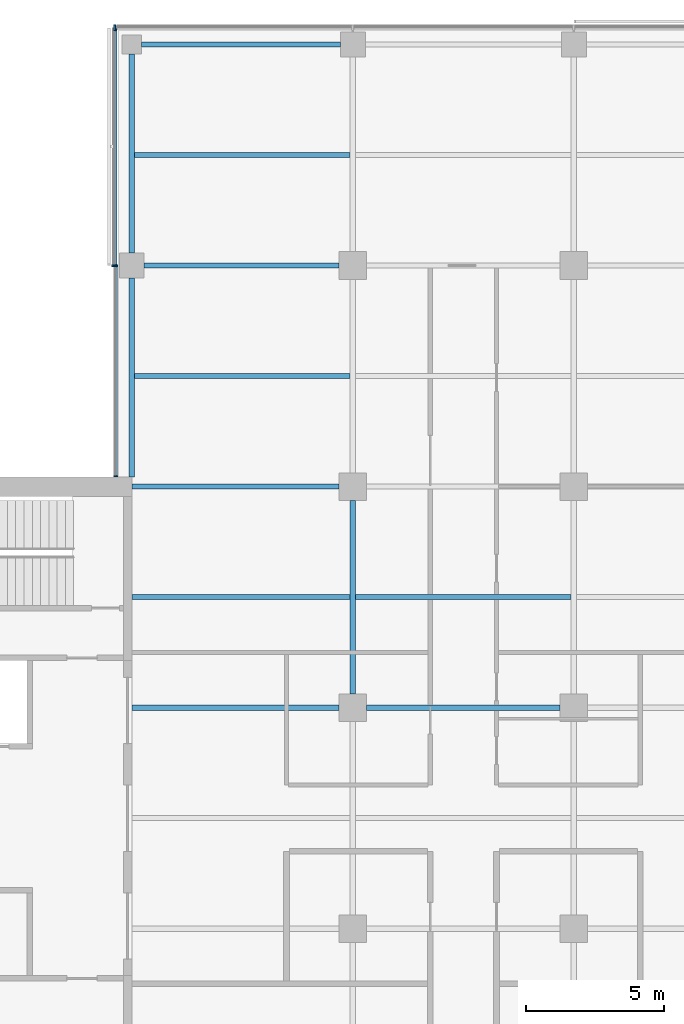
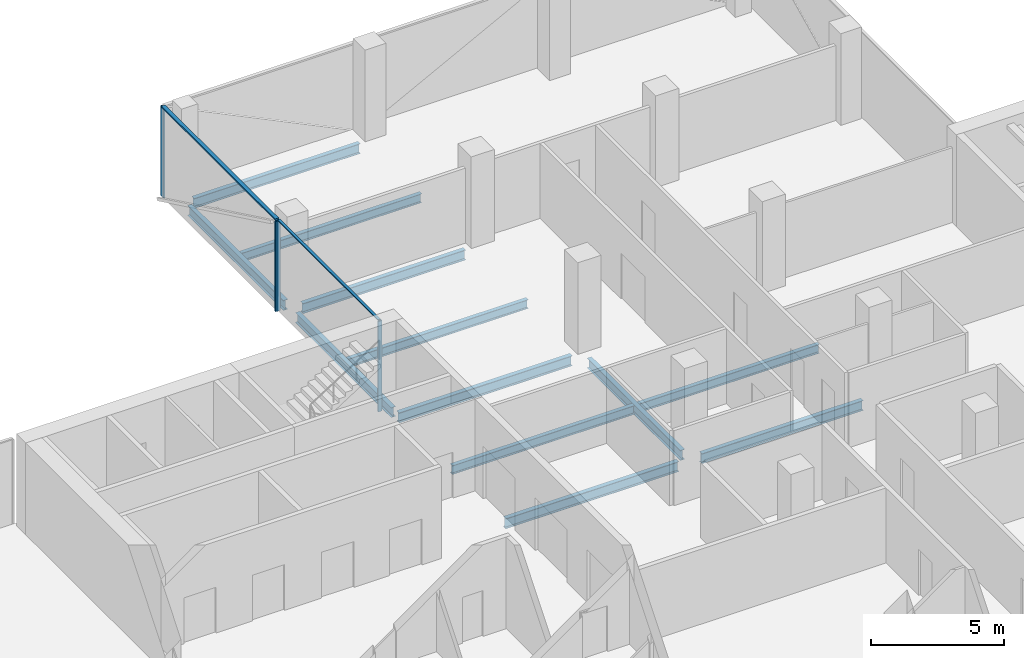
# One storey, part 8 of 22: 12 beams, 6 members, 3 elements without a shape of their own.
"""IFC4 building model written with IfcOpenShell, lengths in metres."""

from ifc_helpers import new_model, si_unit, direction, frame, origin, origin_2d, place, context, subcontext, project, spatial, rectangle, i_section, extrude, material, material_profile, profile_set, type_object, element, aggregate, save


model = new_model("IFC4")

# Units and contexts
model_context = context("Model", 3, precision=1e-05, world=origin(), true_north=direction((0.0, 1.0)))
body_context = subcontext(model_context, "Body", "Model", "MODEL_VIEW")
ifc_project = project(units=[si_unit("LENGTHUNIT", "METRE"), si_unit("AREAUNIT", "SQUARE_METRE"), si_unit("VOLUMEUNIT", "CUBIC_METRE"), si_unit("PLANEANGLEUNIT", "RADIAN"), si_unit("MASSUNIT", "GRAM", prefix="KILO")], contexts=[model_context])

# Site, building, storey
site_placement = place(None, origin())
site = spatial("IfcSite", under=ifc_project, at=site_placement, CompositionType="ELEMENT")
building_placement = place(site_placement, origin())
building = spatial("IfcBuilding", under=site, at=building_placement, Name="Crosswind Convention Tower", CompositionType="ELEMENT")
storey_placement = place(building_placement, frame((0.0, 0.0, 150.5)))
storey = spatial("IfcBuildingStorey", under=building, at=storey_placement, Name="L31", CompositionType="ELEMENT", Elevation=150.5)

# Beams
ifc_material_1 = material(Name="Steel S355", Category="steel")
ifc_material_profile_1 = material_profile(ifc_material_1, i_section(OverallWidth=0.18994140625, OverallDepth=0.45361328125, WebThickness=0.008544921875, FlangeThickness=0.0126953125, FilletRadius=0.01025390625, at=origin_2d()), Name="UB 457x191x67")
ifc_profile_set_1 = profile_set([ifc_material_profile_1], Name="Steel S355")
beam_type_1 = type_object("IfcBeamType", Name="Edge beam UB 457x191x67", PredefinedType="SPANDREL", material=ifc_profile_set_1)
for number, where, z_axis, x_axis, name in (
    (1, (113.0, 112.35009765625, -0.52685546875), (0.0, 1.0, 0.0), (-1.0, 0.0, 0.0), "B16 L31 edge beam 8"),
    (2, (113.0, 120.449951171875, -0.52685546875), (0.0, 1.0, 0.0), (-1.0, 0.0, 0.0), "B16 L31 edge beam 9"),
    (3, (113.35009765625, 128.0, -0.52685546875), (1.0, 0.0, 0.0), (0.0, 1.0, 0.0), "B16 L31 edge beam 11"),
):
    element("IfcBeam", number, at=place(storey_placement, frame(where, z_axis=z_axis, x_axis=x_axis)), inside=storey, type_object=beam_type_1, Name=name, PredefinedType="SPANDREL", context=body_context, shape_type="SweptSolid", body=[
        extrude(i_section(OverallWidth=0.18994140625, OverallDepth=0.45361328125, WebThickness=0.008544921875, FlangeThickness=0.0126953125, FilletRadius=0.01025390625, at=origin_2d()), origin(), (0.0, 0.0, 1.0), 7.199951171875),
    ])
ifc_material_profile_2 = material_profile(ifc_material_1, i_section(OverallWidth=0.19140625, OverallDepth=0.460205078125, WebThickness=0.010009765625, FlangeThickness=0.01611328125, FilletRadius=0.01025390625, at=origin_2d()), Name="UB 457x191x82")
ifc_profile_set_2 = profile_set([ifc_material_profile_2], Name="Steel S355")
beam_type_2 = type_object("IfcBeamType", Name="Girder UB 457x191x82", PredefinedType="BEAM", material=ifc_profile_set_2)
beam_1_placement = place(storey_placement, frame((113.449951171875, 120.0, -0.530029296875), z_axis=(1.0, 0.0, 0.0), x_axis=(0.0, 1.0, 0.0)))
element("IfcBeam", 4, at=beam_1_placement, inside=storey, type_object=beam_type_2, Name="B3 L31 girder 2", PredefinedType="BEAM", context=body_context, shape_type="SweptSolid", body=[
    extrude(i_section(OverallWidth=0.19140625, OverallDepth=0.460205078125, WebThickness=0.010009765625, FlangeThickness=0.01611328125, FilletRadius=0.01025390625, at=origin_2d()), origin(), (0.0, 0.0, 1.0), 7.050048828125),
])
for number, where, z_axis, x_axis, name in (
    (5, (121.0, 104.5, -0.530029296875), (0.0, 1.0, 0.0), (-1.0, 0.0, 0.0), "B3 L31 girder 7"),
    (6, (121.5, 104.0, -0.530029296875), (1.0, 0.0, 0.0), (0.0, 1.0, 0.0), "B3 L31 girder 13"),
):
    element("IfcBeam", number, at=place(storey_placement, frame(where, z_axis=z_axis, x_axis=x_axis)), inside=storey, type_object=beam_type_2, Name=name, PredefinedType="BEAM", context=body_context, shape_type="SweptSolid", body=[
        extrude(i_section(OverallWidth=0.19140625, OverallDepth=0.460205078125, WebThickness=0.010009765625, FlangeThickness=0.01611328125, FilletRadius=0.01025390625, at=origin_2d()), origin(), (0.0, 0.0, 1.0), 7.0),
    ])
ifc_material_profile_3 = material_profile(ifc_material_1, i_section(OverallWidth=0.19189453125, OverallDepth=0.463623046875, WebThickness=0.010498046875, FlangeThickness=0.017578125, FilletRadius=0.01025390625, at=origin_2d()), Name="UB 457x191x90")
ifc_profile_set_3 = profile_set([ifc_material_profile_3], Name="Steel S355")
beam_type_3 = type_object("IfcBeamType", Name="Girder at core wall UB 457x191x90", PredefinedType="BEAM", material=ifc_profile_set_3)
for number, where, z_axis, x_axis, name in (
    (7, (113.0, 104.0, -0.53173828125), (1.0, 0.0, 0.0), (0.0, 1.0, 0.0), "B24 L31 girder at core wall 5"),
    (8, (113.0, 112.0, -0.53173828125), (1.0, 0.0, 0.0), (0.0, 1.0, 0.0), "B24 L31 girder at core wall 6"),
):
    element("IfcBeam", number, at=place(storey_placement, frame(where, z_axis=z_axis, x_axis=x_axis)), inside=storey, type_object=beam_type_3, Name=name, PredefinedType="BEAM", context=body_context, shape_type="SweptSolid", body=[
        extrude(i_section(OverallWidth=0.19189453125, OverallDepth=0.463623046875, WebThickness=0.010498046875, FlangeThickness=0.017578125, FilletRadius=0.01025390625, at=origin_2d()), origin(), (0.0, 0.0, 1.0), 7.5),
    ])

# Curtain wall, members
ifc_material_2 = material(Name="Aluminium unitised curtain wall", Category="aluminium")
curtain_wall_type_1 = type_object("IfcCurtainWallType", Name="CORE END SLOT WALL 160", PredefinedType="USERDEFINED", material=ifc_material_2)
curtain_wall_1_placement = place(storey_placement, origin())
curtain_wall_1 = element("IfcCurtainWall", 9, at=curtain_wall_1_placement, inside=storey, type_object=curtain_wall_type_1, Name="CW6 L31 N-W.1-2 slot", ObjectType="UNITISED", PredefinedType="USERDEFINED")
ifc_material_3 = material(Name="Aluminium mullion", Category="aluminium")
ifc_material_profile_4 = material_profile(ifc_material_3, rectangle(XDim=0.159912109375, YDim=0.050048828125, at=origin_2d()), Name="AL 160X50")
ifc_profile_set_4 = profile_set([ifc_material_profile_4], Name="Aluminium mullion")
member_type_1 = type_object("IfcMemberType", Name="MULLION 50X160", PredefinedType="MULLION", material=ifc_profile_set_4)
member_1_placement = place(storey_placement, frame((112.419921875, 119.97509765625, -0.300048828125), z_axis=(0.0, 0.0, 1.0), x_axis=(-1.0, 0.0, 0.0)))
member_1 = element("IfcMember", 10, at=member_1_placement, type_object=member_type_1, Name="CW6 mullion 1", PredefinedType="MULLION", context=body_context, shape_type="SweptSolid", body=[
    extrude(rectangle(XDim=0.159912109375, YDim=0.050048828125, at=origin_2d()), origin(), (0.0, 0.0, 1.0), 4.150146484375),
])
member_2_placement = place(storey_placement, frame((112.419921875, 112.375, -0.300048828125), z_axis=(0.0, 0.0, 1.0), x_axis=(-1.0, 0.0, 0.0)))
member_2 = element("IfcMember", 11, at=member_2_placement, type_object=member_type_1, Name="CW6 mullion 2", PredefinedType="MULLION", context=body_context, shape_type="SweptSolid", body=[
    extrude(rectangle(XDim=0.159912109375, YDim=0.050048828125, at=origin_2d()), origin(), (0.0, 0.0, 1.0), 4.150146484375),
])

# Curtain wall, member
curtain_wall_type_2 = type_object("IfcCurtainWallType", Name="OFFICE UNITISED WALL 220", PredefinedType="USERDEFINED", material=ifc_material_2)
curtain_wall_2_placement = place(storey_placement, origin())
curtain_wall_2 = element("IfcCurtainWall", 12, at=curtain_wall_2_placement, inside=storey, type_object=curtain_wall_type_2, Name="CW3 L31 N-TIP 1", ObjectType="UNITISED", PredefinedType="USERDEFINED")
ifc_material_profile_5 = material_profile(ifc_material_3, rectangle(XDim=0.219970703125, YDim=0.070068359375, at=origin_2d()), Name="AL 220X70")
ifc_profile_set_5 = profile_set([ifc_material_profile_5], Name="Aluminium mullion")
member_type_2 = type_object("IfcMemberType", Name="MULLION 70X220", PredefinedType="MULLION", material=ifc_profile_set_5)
member_3_placement = place(storey_placement, frame((112.389892578125, 128.610107421875, -0.300048828125), z_axis=(0.0, 0.0, 1.0), x_axis=(0.0, 1.0, 0.0)))
member_3 = element("IfcMember", 13, at=member_3_placement, type_object=member_type_2, Name="CW3 mullion 4", PredefinedType="MULLION", context=body_context, shape_type="SweptSolid", body=[
    extrude(rectangle(XDim=0.219970703125, YDim=0.070068359375, at=origin_2d()), origin(), (0.0, 0.0, 1.0), 4.130126953125),
])
aggregate(curtain_wall_2, [member_3])

curtain_wall_3_placement = place(storey_placement, origin())
curtain_wall_3 = element("IfcCurtainWall", 14, at=curtain_wall_3_placement, inside=storey, type_object=curtain_wall_type_2, Name="CW3 L31 N-W 1", ObjectType="UNITISED", PredefinedType="USERDEFINED")
member_4_placement = place(storey_placement, frame((112.389892578125, 120.0, -0.300048828125), z_axis=(0.0, 0.0, 1.0), x_axis=(-1.0, 0.0, 0.0)))
member_4 = element("IfcMember", 15, at=member_4_placement, type_object=member_type_2, Name="CW3 mullion 2", PredefinedType="MULLION", context=body_context, shape_type="SweptSolid", body=[
    extrude(rectangle(XDim=0.219970703125, YDim=0.070068359375, at=origin_2d()), origin(), (0.0, 0.0, 1.0), 4.130126953125),
])

# Beams
ifc_material_profile_6 = material_profile(ifc_material_1, i_section(OverallWidth=0.177734375, OverallDepth=0.406494140625, WebThickness=0.0078125, FlangeThickness=0.0126953125, FilletRadius=0.01025390625, at=origin_2d()), Name="UB 406x178x60")
ifc_profile_set_6 = profile_set([ifc_material_profile_6], Name="Steel S355")
beam_type_4 = type_object("IfcBeamType", Name="Secondary beam UB 406x178x60", PredefinedType="JOIST", material=ifc_profile_set_6)
beam_2_placement = place(storey_placement, frame((113.0, 108.0, -0.503173828125), z_axis=(1.0, 0.0, 0.0), x_axis=(0.0, 1.0, 0.0)))
element("IfcBeam", 16, at=beam_2_placement, inside=storey, type_object=beam_type_4, Name="B10 L31 secondary beam 6", PredefinedType="JOIST", context=body_context, shape_type="SweptSolid", body=[
    extrude(i_section(OverallWidth=0.177734375, OverallDepth=0.406494140625, WebThickness=0.0078125, FlangeThickness=0.0126953125, FilletRadius=0.01025390625, at=origin_2d()), origin(), (0.0, 0.0, 1.0), 7.904296875),
])
for number, where, z_axis, x_axis, name in (
    (17, (113.094970703125, 116.0, -0.503173828125), (1.0, 0.0, 0.0), (0.0, 1.0, 0.0), "B10 L31 secondary beam 9"),
    (18, (113.094970703125, 124.0, -0.503173828125), (1.0, 0.0, 0.0), (0.0, 1.0, 0.0), "B10 L31 secondary beam 10"),
):
    element("IfcBeam", number, at=place(storey_placement, frame(where, z_axis=z_axis, x_axis=x_axis)), inside=storey, type_object=beam_type_4, Name=name, PredefinedType="JOIST", context=body_context, shape_type="SweptSolid", body=[
        extrude(i_section(OverallWidth=0.177734375, OverallDepth=0.406494140625, WebThickness=0.0078125, FlangeThickness=0.0126953125, FilletRadius=0.01025390625, at=origin_2d()), origin(), (0.0, 0.0, 1.0), 7.809326171875),
    ])
beam_3_placement = place(storey_placement, frame((121.095703125, 108.0, -0.503173828125), z_axis=(1.0, 0.0, 0.0), x_axis=(0.0, 1.0, 0.0)))
element("IfcBeam", 19, at=beam_3_placement, inside=storey, type_object=beam_type_4, Name="B10 L31 secondary beam 15", PredefinedType="JOIST", context=body_context, shape_type="SweptSolid", body=[
    extrude(i_section(OverallWidth=0.177734375, OverallDepth=0.406494140625, WebThickness=0.0078125, FlangeThickness=0.0126953125, FilletRadius=0.01025390625, at=origin_2d()), origin(), (0.0, 0.0, 1.0), 7.80859375),
])

# Member
ifc_material_4 = material(Name="Aluminium transom", Category="aluminium")
ifc_material_profile_7 = material_profile(ifc_material_4, rectangle(XDim=0.1201171875, YDim=0.050048828125, at=origin_2d()), Name="AL 120X50")
ifc_profile_set_7 = profile_set([ifc_material_profile_7], Name="Aluminium transom")
member_type_3 = type_object("IfcMemberType", Name="TRANSOM 50X120", PredefinedType="USERDEFINED", material=ifc_profile_set_7)
member_5_placement = place(storey_placement, frame((112.419921875, 119.949951171875, 3.875), z_axis=(0.0, -1.0, 0.0), x_axis=(1.0, 0.0, 0.0)))
member_5 = element("IfcMember", 20, at=member_5_placement, type_object=member_type_3, Name="CW6 transom", ObjectType="TRANSOM", PredefinedType="USERDEFINED", context=body_context, shape_type="SweptSolid", body=[
    extrude(rectangle(XDim=0.1201171875, YDim=0.050048828125, at=origin_2d()), origin(), (0.0, 0.0, 1.0), 7.550048828125),
])

aggregate(curtain_wall_1, [member_1, member_2, member_5])

ifc_material_profile_8 = material_profile(ifc_material_4, rectangle(XDim=0.159912109375, YDim=0.070068359375, at=origin_2d()), Name="AL 160X70")
ifc_profile_set_8 = profile_set([ifc_material_profile_8], Name="Aluminium transom")
member_type_4 = type_object("IfcMemberType", Name="TRANSOM 70X160", PredefinedType="USERDEFINED", material=ifc_profile_set_8)
member_6_placement = place(storey_placement, frame((112.389892578125, 128.574951171875, 3.864990234375), z_axis=(0.0, -1.0, 0.0), x_axis=(1.0, 0.0, 0.0)))
member_6 = element("IfcMember", 21, at=member_6_placement, type_object=member_type_4, Name="CW3 transom", ObjectType="TRANSOM", PredefinedType="USERDEFINED", context=body_context, shape_type="SweptSolid", body=[
    extrude(rectangle(XDim=0.159912109375, YDim=0.070068359375, at=origin_2d()), origin(), (0.0, 0.0, 1.0), 8.5400390625),
])

aggregate(curtain_wall_3, [member_4, member_6])

save(model, "model.ifc")
